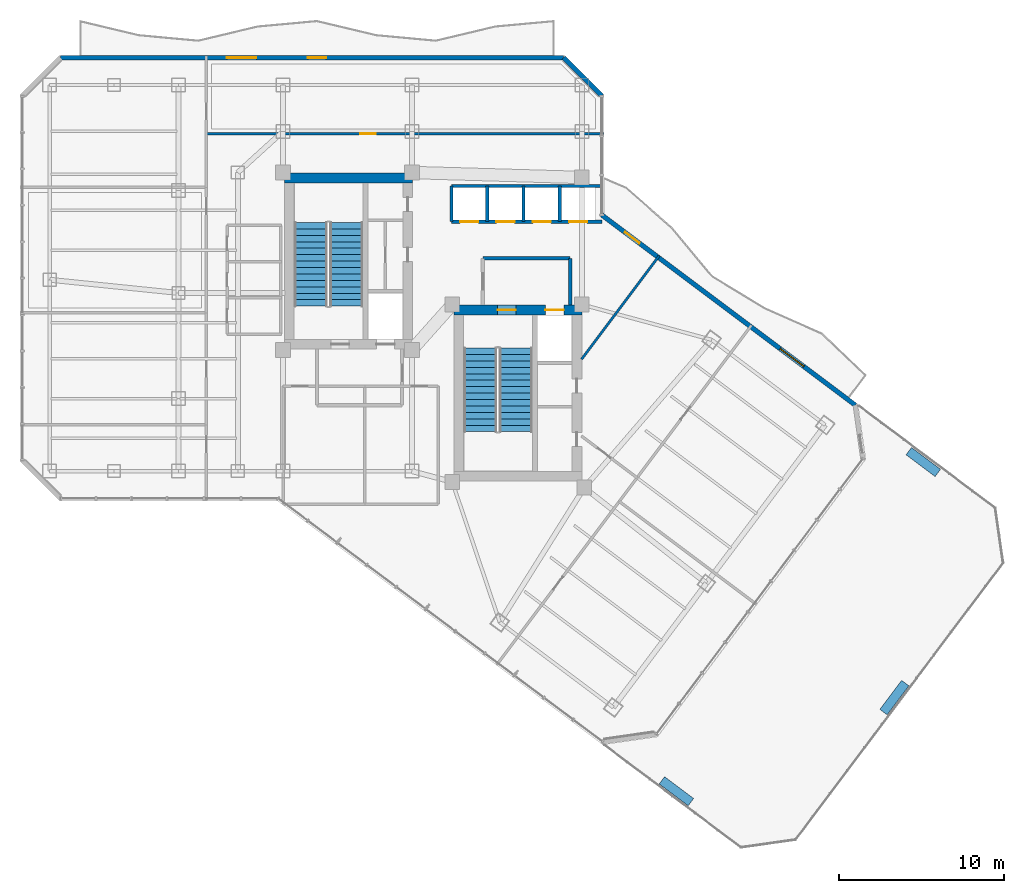
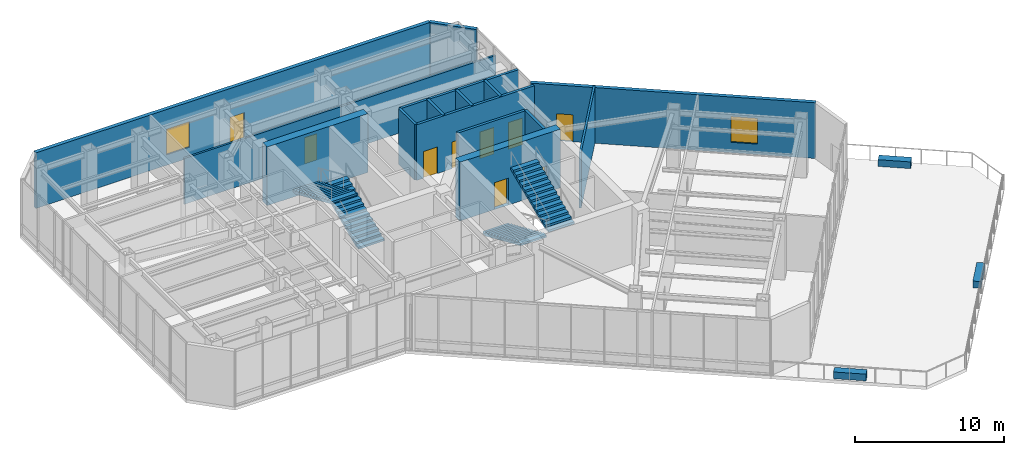
# One storey, part 24 of 30: 15 walls, 9 doors, 4 stair flights, 3 discrete accessories, 2 windows, 11 openings, 2 elements without a shape of their own.
"""IFC4 building model written with IfcOpenShell, lengths in metres."""

from ifc_helpers import new_model, si_unit, direction, frame, frame_2d, origin, origin_2d, place, context, subcontext, project, spatial, polyline, rectangle, outline, extrude, material, layer, layer_set, type_object, element, fill, aggregate, save


model = new_model("IFC4")

# Units and contexts
model_context = context("Model", 3, precision=1e-05, world=origin(), true_north=direction((0.0, 1.0)))
body_context = subcontext(model_context, "Body", "Model", "MODEL_VIEW")
ifc_project = project(units=[si_unit("LENGTHUNIT", "METRE"), si_unit("AREAUNIT", "SQUARE_METRE"), si_unit("VOLUMEUNIT", "CUBIC_METRE"), si_unit("PLANEANGLEUNIT", "RADIAN"), si_unit("MASSUNIT", "GRAM", prefix="KILO")], contexts=[model_context])

# Site, building, storey
site_placement = place(None, origin())
site = spatial("IfcSite", under=ifc_project, at=site_placement, CompositionType="ELEMENT")
building_placement = place(site_placement, origin())
building = spatial("IfcBuilding", under=site, at=building_placement, Name="Hatsunagi Terrace Concourse", CompositionType="ELEMENT")
storey_placement = place(building_placement, frame((0.0, 0.0, 130.050048828125)))
storey = spatial("IfcBuildingStorey", under=building, at=storey_placement, Name="L34", CompositionType="ELEMENT", Elevation=130.050048828125)

# Wall
ifc_material_1 = material(Name="Concrete Fc48", Category="concrete")
ifc_layer_1 = layer(ifc_material_1, 0.60009765625)
ifc_layer_set_1 = layer_set([ifc_layer_1], Name="CoreShearWall_Fc48_600")
wall_type_1 = type_object("IfcWallType", Name="CoreShearWall_Fc48_600", PredefinedType="SHEAR", material=ifc_layer_set_1)
wall_1_placement = place(storey_placement, frame((25.6201171875, 42.969970703125, 0.0), z_axis=(0.0, 0.0, 1.0), x_axis=(1.0, 0.0, 0.0)))
element("IfcWall", 1, at=wall_1_placement, inside=storey, type_object=wall_type_1, Name="Core A Shear Wall N L34", PredefinedType="SHEAR", context=body_context, shape_type="SweptSolid", body=[
    extrude(rectangle(XDim=7.77978515625, YDim=0.60009765625, at=frame_2d((3.889892578125, 0.0))), origin(), (0.0, 0.0, 1.0), 4.800048828125),
])

# Wall, openings, doors
wall_2_placement = place(storey_placement, frame((35.889892578125, 34.969970703125, 0.0), z_axis=(0.0, 0.0, 1.0), x_axis=(1.0, 0.0, 0.0)))
wall_2 = element("IfcWall", 2, at=wall_2_placement, inside=storey, type_object=wall_type_1, Name="Core B Shear Wall N L34", PredefinedType="SHEAR", context=body_context, shape_type="SweptSolid", body=[
    extrude(rectangle(XDim=7.760009765625, YDim=0.60009765625, at=frame_2d((3.8798828125, 0.0))), origin(), (0.0, 0.0, 1.0), 4.800048828125),
])
opening_1_placement = place(wall_2_placement, frame((2.659912109375, 0.0, 0.0)))
opening_1 = element("IfcOpeningElement", 3, at=opening_1_placement, cuts=wall_2, Name="Opening DR-110S", PredefinedType="OPENING", context=body_context, shape_type="SweptSolid", body=[
    extrude(rectangle(XDim=1.10009765625, YDim=2.199951171875, at=frame_2d((0.550048828125, 1.10009765625))), frame((0.0, 0.31005859375, 0.0), z_axis=(0.0, -1.0, 0.0), x_axis=(1.0, 0.0, 0.0)), (0.0, 0.0, 1.0), 0.6201171875),
])
opening_2_placement = place(wall_2_placement, frame((5.56005859375, 0.0, 0.0)))
opening_2 = element("IfcOpeningElement", 4, at=opening_2_placement, cuts=wall_2, Name="Opening LD-02", PredefinedType="OPENING", context=body_context, shape_type="SweptSolid", body=[
    extrude(rectangle(XDim=1.1201171875, YDim=2.14990234375, at=frame_2d((0.56005859375, 1.074951171875))), frame((0.0, 0.31005859375, 0.0), z_axis=(0.0, -1.0, 0.0), x_axis=(1.0, 0.0, 0.0)), (0.0, 0.0, 1.0), 0.6201171875),
])
ifc_material_2 = material(Name="Stainless steel", Category="steel")
door_type_1 = type_object("IfcDoorType", Name="LiftLandingDoor_LD02", OperationType="SLIDING_TO_RIGHT", PredefinedType="USERDEFINED", material=ifc_material_2)
door_1_placement = place(opening_2_placement, origin())
door_1 = element("IfcDoor", 5, at=door_1_placement, inside=storey, type_object=door_type_1, Name="Lift landing door FF-02 L34", ObjectType="SLIDING_LANDING_DOOR", OperationType="SLIDING_TO_RIGHT", OverallHeight=2.14990234375, OverallWidth=1.1201171875, PredefinedType="USERDEFINED", context=body_context, shape_type="SweptSolid", body=[
    extrude(rectangle(XDim=1.1201171875, YDim=2.14990234375, at=frame_2d((0.56005859375, 1.074951171875))), frame((0.0, 0.02490234375, 0.0), z_axis=(0.0, -1.0, 0.0), x_axis=(1.0, 0.0, 0.0)), (0.0, 0.0, 1.0), 0.050048828125),
])
fill(opening_2, door_1)
ifc_material_3 = material(Name="Painted steel", Category="steel")
door_type_2 = type_object("IfcDoorType", Name="StairFireDoor_EI60_1100", OperationType="NOTDEFINED", PredefinedType="DOOR", material=ifc_material_3)
door_2_placement = place(opening_1_placement, origin())
door_2 = element("IfcDoor", 6, at=door_2_placement, inside=storey, type_object=door_type_2, Name="Stair ST-B Exit Door L34", OperationType="SINGLE_SWING_RIGHT", OverallHeight=2.199951171875, OverallWidth=1.10009765625, PredefinedType="DOOR", context=body_context, shape_type="SweptSolid", body=[
    extrude(rectangle(XDim=1.10009765625, YDim=2.199951171875, at=frame_2d((0.550048828125, 1.10009765625))), frame((0.0, 0.02490234375, 0.0), z_axis=(0.0, -1.0, 0.0), x_axis=(1.0, 0.0, 0.0)), (0.0, 0.0, 1.0), 0.050048828125),
])
fill(opening_1, door_2)

# Wall, opening, door
ifc_material_4 = material(Name="Acoustic mineral board", Category="gypsum")
ifc_layer_2 = layer(ifc_material_4, 0.14990234375)
ifc_layer_set_2 = layer_set([ifc_layer_2], Name="PartitionWall_EI60_150")
wall_type_2 = type_object("IfcWallType", Name="PartitionWall_EI60_150", PredefinedType="PARTITIONING", material=ifc_layer_set_2)
wall_3_placement = place(storey_placement, frame((20.89990234375, 45.64990234375, 0.0), z_axis=(0.0, 0.0, 1.0), x_axis=(1.0, 0.0, 0.0)))
wall_3 = element("IfcWall", 7, at=wall_3_placement, inside=storey, type_object=wall_type_2, Name="Interior Partition IW-L34-040", PredefinedType="PARTITIONING", context=body_context, shape_type="SweptSolid", body=[
    extrude(rectangle(XDim=24.06005859375, YDim=0.14990234375, at=frame_2d((12.030029296875, 0.0))), origin(), (0.0, 0.0, 1.0), 3.744873046875),
])
opening_3_placement = place(wall_3_placement, frame((9.320068359375, 0.0, 0.0)))
opening_3 = element("IfcOpeningElement", 8, at=opening_3_placement, cuts=wall_3, Name="Opening DR-095", PredefinedType="OPENING", context=body_context, shape_type="SweptSolid", body=[
    extrude(rectangle(XDim=0.949951171875, YDim=2.14990234375, at=frame_2d((0.47509765625, 1.074951171875))), frame((0.0, 0.0849609375, 0.0), z_axis=(0.0, -1.0, 0.0), x_axis=(1.0, 0.0, 0.0)), (0.0, 0.0, 1.0), 0.169921875),
])
ifc_material_5 = material(Name="Hardwood timber", Category="wood")
door_type_3 = type_object("IfcDoorType", Name="InteriorSuiteDoor_EI30_950", OperationType="NOTDEFINED", PredefinedType="DOOR", material=ifc_material_5)
door_3_placement = place(opening_3_placement, origin())
door_3 = element("IfcDoor", 9, at=door_3_placement, inside=storey, type_object=door_type_3, Name="Boardroom L34-ON1 Door", OperationType="SINGLE_SWING_RIGHT", OverallHeight=2.14990234375, OverallWidth=0.949951171875, PredefinedType="DOOR", context=body_context, shape_type="SweptSolid", body=[
    extrude(rectangle(XDim=0.949951171875, YDim=2.14990234375, at=frame_2d((0.47509765625, 1.074951171875))), frame((0.0, 0.02490234375, 0.0), z_axis=(0.0, -1.0, 0.0), x_axis=(1.0, 0.0, 0.0)), (0.0, 0.0, 1.0), 0.050048828125),
])
fill(opening_3, door_3)

# Walls
wall_4_placement = place(storey_placement, frame((43.6298828125, 31.972900390625, 0.0), z_axis=(0.0, 0.0, 1.0), x_axis=(0.599975099311, 0.800018674911, 0.0)))
element("IfcWall", 10, at=wall_4_placement, inside=storey, type_object=wall_type_2, Name="Interior Partition IW-L34-045", PredefinedType="PARTITIONING", context=body_context, shape_type="SweptSolid", body=[
    extrude(rectangle(XDim=7.84375, YDim=0.14990234375, at=frame_2d((3.921875, 0.0))), origin(), (0.0, 0.0, 1.0), 4.550048828125),
])
ifc_material_6 = material(Name="Acoustic mineral board", Category="gypsum")
ifc_layer_3 = layer(ifc_material_6, 0.199951171875)
ifc_layer_set_3 = layer_set([ifc_layer_3], Name="ShaftWall_EI120_200")
wall_type_3 = type_object("IfcWallType", Name="ShaftWall_EI120_200", PredefinedType="STANDARD", material=ifc_layer_set_3)
wall_5_placement = place(storey_placement, frame((37.64990234375, 38.10009765625, 0.0), z_axis=(0.0, 0.0, 1.0), x_axis=(1.0, 0.0, 0.0)))
element("IfcWall", 11, at=wall_5_placement, inside=storey, type_object=wall_type_3, Name="Interior Partition IW-L34-009", PredefinedType="STANDARD", context=body_context, shape_type="SweptSolid", body=[
    extrude(rectangle(XDim=5.300048828125, YDim=0.199951171875, at=frame_2d((2.64990234375, 0.0))), origin(), (0.0, 0.0, 1.0), 4.550048828125),
])
wall_6_placement = place(storey_placement, frame((42.949951171875, 35.27001953125, 0.0), z_axis=(0.0, 0.0, 1.0), x_axis=(0.0, 1.0, 0.0)))
element("IfcWall", 12, at=wall_6_placement, inside=storey, type_object=wall_type_3, Name="Interior Partition IW-L34-010", PredefinedType="STANDARD", context=body_context, shape_type="SweptSolid", body=[
    extrude(rectangle(XDim=2.830078125, YDim=0.199951171875, at=frame_2d((1.4150390625, 0.0))), origin(), (0.0, 0.0, 1.0), 4.550048828125),
])
wall_7_placement = place(storey_placement, frame((35.75, 42.47998046875, 0.0), z_axis=(0.0, 0.0, 1.0), x_axis=(1.0, 0.0, 0.0)))
element("IfcWall", 13, at=wall_7_placement, inside=storey, type_object=wall_type_3, Name="Interior Partition IW-L34-012", PredefinedType="STANDARD", context=body_context, shape_type="SweptSolid", body=[
    extrude(rectangle(XDim=9.110107421875, YDim=0.199951171875, at=frame_2d((4.55517578125, 0.0))), origin(), (0.0, 0.0, 1.0), 4.550048828125),
])
for number, where, z_axis, x_axis, name in (
    (14, (35.75, 40.320068359375, 0.0), (0.0, 0.0, 1.0), (0.0, 1.0, 0.0), "Interior Partition IW-L34-013"),
    (15, (37.919921875, 40.320068359375, 0.0), (0.0, 0.0, 1.0), (0.0, 1.0, 0.0), "Interior Partition IW-L34-014"),
    (16, (40.1201171875, 40.320068359375, 0.0), (0.0, 0.0, 1.0), (0.0, 1.0, 0.0), "Interior Partition IW-L34-015"),
    (17, (42.320068359375, 40.320068359375, 0.0), (0.0, 0.0, 1.0), (0.0, 1.0, 0.0), "Interior Partition IW-L34-016"),
):
    element("IfcWall", number, at=place(storey_placement, frame(where, z_axis=z_axis, x_axis=x_axis)), inside=storey, type_object=wall_type_3, Name=name, PredefinedType="STANDARD", context=body_context, shape_type="SweptSolid", body=[
        extrude(rectangle(XDim=2.159912109375, YDim=0.199951171875, at=frame_2d((1.080078125, 0.0))), origin(), (0.0, 0.0, 1.0), 4.550048828125),
    ])

# Wall, openings, doors
wall_8_placement = place(storey_placement, frame((35.75, 40.320068359375, 0.0), z_axis=(0.0, 0.0, 1.0), x_axis=(1.0, 0.0, 0.0)))
wall_8 = element("IfcWall", 18, at=wall_8_placement, inside=storey, type_object=wall_type_3, Name="Interior Partition IW-L34-017", PredefinedType="STANDARD", context=body_context, shape_type="SweptSolid", body=[
    extrude(rectangle(XDim=9.110107421875, YDim=0.199951171875, at=frame_2d((4.55517578125, 0.0))), origin(), (0.0, 0.0, 1.0), 4.550048828125),
])
opening_4_placement = place(wall_8_placement, frame((0.530029296875, 0.0, 0.0)))
opening_4 = element("IfcOpeningElement", 19, at=opening_4_placement, cuts=wall_8, Name="Opening LD-04", PredefinedType="OPENING", context=body_context, shape_type="SweptSolid", body=[
    extrude(rectangle(XDim=1.10009765625, YDim=2.179931640625, at=frame_2d((0.550048828125, 1.08984375))), frame((0.0, 0.10986328125, 0.0), z_axis=(0.0, -1.0, 0.0), x_axis=(1.0, 0.0, 0.0)), (0.0, 0.0, 1.0), 0.219970703125),
])
opening_5_placement = place(wall_8_placement, frame((2.72998046875, 0.0, 0.0)))
opening_5 = element("IfcOpeningElement", 20, at=opening_5_placement, cuts=wall_8, Name="Opening LD-04", PredefinedType="OPENING", context=body_context, shape_type="SweptSolid", body=[
    extrude(rectangle(XDim=1.10009765625, YDim=2.179931640625, at=frame_2d((0.550048828125, 1.08984375))), frame((0.0, 0.10986328125, 0.0), z_axis=(0.0, -1.0, 0.0), x_axis=(1.0, 0.0, 0.0)), (0.0, 0.0, 1.0), 0.219970703125),
])
opening_6_placement = place(wall_8_placement, frame((4.929931640625, 0.0, 0.0)))
opening_6 = element("IfcOpeningElement", 21, at=opening_6_placement, cuts=wall_8, Name="Opening LD-04", PredefinedType="OPENING", context=body_context, shape_type="SweptSolid", body=[
    extrude(rectangle(XDim=1.10009765625, YDim=2.179931640625, at=frame_2d((0.550048828125, 1.08984375))), frame((0.0, 0.10986328125, 0.0), z_axis=(0.0, -1.0, 0.0), x_axis=(1.0, 0.0, 0.0)), (0.0, 0.0, 1.0), 0.219970703125),
])
opening_7_placement = place(wall_8_placement, frame((7.1298828125, 0.0, 0.0)))
opening_7 = element("IfcOpeningElement", 22, at=opening_7_placement, cuts=wall_8, Name="Opening LD-04", PredefinedType="OPENING", context=body_context, shape_type="SweptSolid", body=[
    extrude(rectangle(XDim=1.10009765625, YDim=2.179931640625, at=frame_2d((0.550048828125, 1.08984375))), frame((0.0, 0.10986328125, 0.0), z_axis=(0.0, -1.0, 0.0), x_axis=(1.0, 0.0, 0.0)), (0.0, 0.0, 1.0), 0.219970703125),
])
ifc_material_7 = material(Name="Stainless steel", Category="steel")
door_type_4 = type_object("IfcDoorType", Name="LiftLandingDoor_LD04", OperationType="SLIDING_TO_RIGHT", PredefinedType="USERDEFINED", material=ifc_material_7)
door_4_placement = place(opening_4_placement, origin())
door_4 = element("IfcDoor", 23, at=door_4_placement, inside=storey, type_object=door_type_4, Name="Lift landing door PL-05 L34", ObjectType="SLIDING_LANDING_DOOR", OperationType="SLIDING_TO_RIGHT", OverallHeight=2.179931640625, OverallWidth=1.10009765625, PredefinedType="USERDEFINED", context=body_context, shape_type="SweptSolid", body=[
    extrude(rectangle(XDim=1.10009765625, YDim=2.179931640625, at=frame_2d((0.550048828125, 1.08984375))), frame((0.0, 0.02490234375, 0.0), z_axis=(0.0, -1.0, 0.0), x_axis=(1.0, 0.0, 0.0)), (0.0, 0.0, 1.0), 0.050048828125),
])
fill(opening_4, door_4)
door_5_placement = place(opening_5_placement, origin())
door_5 = element("IfcDoor", 24, at=door_5_placement, inside=storey, type_object=door_type_4, Name="Lift landing door PL-06 L34", ObjectType="SLIDING_LANDING_DOOR", OperationType="SLIDING_TO_RIGHT", OverallHeight=2.179931640625, OverallWidth=1.10009765625, PredefinedType="USERDEFINED", context=body_context, shape_type="SweptSolid", body=[
    extrude(rectangle(XDim=1.10009765625, YDim=2.179931640625, at=frame_2d((0.550048828125, 1.08984375))), frame((0.0, 0.02490234375, 0.0), z_axis=(0.0, -1.0, 0.0), x_axis=(1.0, 0.0, 0.0)), (0.0, 0.0, 1.0), 0.050048828125),
])
fill(opening_5, door_5)
door_6_placement = place(opening_6_placement, origin())
door_6 = element("IfcDoor", 25, at=door_6_placement, inside=storey, type_object=door_type_4, Name="Lift landing door PL-07 L34", ObjectType="SLIDING_LANDING_DOOR", OperationType="SLIDING_TO_RIGHT", OverallHeight=2.179931640625, OverallWidth=1.10009765625, PredefinedType="USERDEFINED", context=body_context, shape_type="SweptSolid", body=[
    extrude(rectangle(XDim=1.10009765625, YDim=2.179931640625, at=frame_2d((0.550048828125, 1.08984375))), frame((0.0, 0.02490234375, 0.0), z_axis=(0.0, -1.0, 0.0), x_axis=(1.0, 0.0, 0.0)), (0.0, 0.0, 1.0), 0.050048828125),
])
fill(opening_6, door_6)
door_7_placement = place(opening_7_placement, origin())
door_7 = element("IfcDoor", 26, at=door_7_placement, inside=storey, type_object=door_type_4, Name="Lift landing door PL-08 L34", ObjectType="SLIDING_LANDING_DOOR", OperationType="SLIDING_TO_RIGHT", OverallHeight=2.179931640625, OverallWidth=1.10009765625, PredefinedType="USERDEFINED", context=body_context, shape_type="SweptSolid", body=[
    extrude(rectangle(XDim=1.10009765625, YDim=2.179931640625, at=frame_2d((0.550048828125, 1.08984375))), frame((0.0, 0.02490234375, 0.0), z_axis=(0.0, -1.0, 0.0), x_axis=(1.0, 0.0, 0.0)), (0.0, 0.0, 1.0), 0.050048828125),
])
fill(opening_7, door_7)

# Wall, openings, door, window
ifc_material_8 = material(Name="Autoclaved Lightweight Concrete and Terracotta Cladding", Category="masonry")
ifc_layer_4 = layer(ifc_material_8, 0.280029296875)
ifc_layer_set_4 = layer_set([ifc_layer_4], Name="TerracottaSpandrelWall_280")
wall_type_4 = type_object("IfcWallType", Name="TerracottaSpandrelWall_280", PredefinedType="STANDARD", material=ifc_layer_set_4)
wall_9_placement = place(storey_placement, frame((44.860107421875, 40.72998046875, 0.0), z_axis=(0.0, 0.0, 1.0), x_axis=(0.800007624502, -0.599989833863, 0.0)))
wall_9 = element("IfcWall", 27, at=wall_9_placement, inside=storey, type_object=wall_type_4, Name="Exterior Spandrel Wall EW-L34-01", PredefinedType="STANDARD", context=body_context, shape_type="SweptSolid", body=[
    extrude(rectangle(XDim=19.212158203125, YDim=0.280029296875, at=frame_2d((9.60595703125, 0.0))), origin(), (0.0, 0.0, 1.0), 4.550048828125),
])
opening_8_placement = place(wall_9_placement, frame((1.7548828125, 0.0, 0.0)))
opening_8 = element("IfcOpeningElement", 28, at=opening_8_placement, cuts=wall_9, Name="Opening BD-01", PredefinedType="OPENING", context=body_context, shape_type="SweptSolid", body=[
    extrude(rectangle(XDim=1.10009765625, YDim=2.199951171875, at=frame_2d((0.550048828125, 1.10009765625))), frame((0.0, 0.14990234375, 0.0), z_axis=(0.0, -1.0, 0.0), x_axis=(1.0, 0.0, 0.0)), (0.0, 0.0, 1.0), 0.300048828125),
])
opening_9_placement = place(wall_9_placement, frame((13.509033203125, 0.0, 0.85009765625)))
opening_9 = element("IfcOpeningElement", 29, at=opening_9_placement, cuts=wall_9, Name="Opening WIN-03", PredefinedType="OPENING", context=body_context, shape_type="SweptSolid", body=[
    extrude(rectangle(XDim=1.800048828125, YDim=2.10009765625, at=frame_2d((0.89990234375, 1.050048828125))), frame((0.0, 0.14990234375, 0.0), z_axis=(0.0, -1.0, 0.0), x_axis=(1.0, 0.0, 0.0)), (0.0, 0.0, 1.0), 0.300048828125),
])
ifc_material_9 = material(Name="Galvanised Steel and Laminated Safety Glass", Category="steel")
door_type_5 = type_object("IfcDoorType", Name="BalconyTerraceAccessDoor_1100x2200", OperationType="SINGLE_SWING_LEFT", PredefinedType="DOOR", material=ifc_material_9)
door_8_placement = place(opening_8_placement, origin())
door_8 = element("IfcDoor", 30, at=door_8_placement, inside=storey, type_object=door_type_5, Name="Engawa Balcony Door L34-BSE", OperationType="SINGLE_SWING_LEFT", OverallHeight=2.199951171875, OverallWidth=1.10009765625, PredefinedType="DOOR", context=body_context, shape_type="SweptSolid", body=[
    extrude(rectangle(XDim=1.10009765625, YDim=2.199951171875, at=frame_2d((0.550048828125, 1.10009765625))), frame((0.0, 0.02490234375, 0.0), z_axis=(0.0, -1.0, 0.0), x_axis=(1.0, 0.0, 0.0)), (0.0, 0.0, 1.0), 0.050048828125),
])
fill(opening_8, door_8)
ifc_material_10 = material(Name="Thermally Broken Aluminium and Low-E Triple Glazing", Category="aluminium")
window_type = type_object("IfcWindowType", Name="OfficeCornerFeatureWindow_1800x2100", PartitioningType="SINGLE_PANEL", PredefinedType="WINDOW", material=ifc_material_10)
window_1_placement = place(opening_9_placement, origin())
window_1 = element("IfcWindow", 31, at=window_1_placement, inside=storey, type_object=window_type, Name="Balcony Daylighting Window L34-01-2", OverallHeight=2.10009765625, OverallWidth=1.800048828125, PartitioningType="SINGLE_PANEL", PredefinedType="WINDOW", context=body_context, shape_type="SweptSolid", body=[
    extrude(rectangle(XDim=1.800048828125, YDim=2.10009765625, at=frame_2d((0.89990234375, 1.050048828125))), frame((0.0, 0.030029296875, 0.0), z_axis=(0.0, -1.0, 0.0), x_axis=(1.0, 0.0, 0.0)), (0.0, 0.0, 1.0), 0.06005859375),
])
fill(opening_9, window_1)

wall_10_placement = place(storey_placement, frame((12.05810546875, 50.260009765625, 0.0), z_axis=(0.0, 0.0, 1.0), x_axis=(1.0, 0.0, 0.0)))
wall_10 = element("IfcWall", 32, at=wall_10_placement, inside=storey, type_object=wall_type_4, Name="Exterior Spandrel Wall EW-L34-11", PredefinedType="STANDARD", context=body_context, shape_type="SweptSolid", body=[
    extrude(rectangle(XDim=30.48388671875, YDim=0.280029296875, at=frame_2d((15.241943359375, 0.0))), origin(), (0.0, 0.0, 1.0), 4.550048828125),
])
opening_10_placement = place(wall_10_placement, frame((14.991943359375, 0.0, 0.0)))
opening_10 = element("IfcOpeningElement", 33, at=opening_10_placement, cuts=wall_10, Name="Opening BD-01", PredefinedType="OPENING", context=body_context, shape_type="SweptSolid", body=[
    extrude(rectangle(XDim=1.10009765625, YDim=2.199951171875, at=frame_2d((0.550048828125, 1.10009765625))), frame((0.0, 0.14990234375, 0.0), z_axis=(0.0, -1.0, 0.0), x_axis=(1.0, 0.0, 0.0)), (0.0, 0.0, 1.0), 0.300048828125),
])
opening_11_placement = place(wall_10_placement, frame((10.073974609375, 0.0, 0.85009765625)))
opening_11 = element("IfcOpeningElement", 34, at=opening_11_placement, cuts=wall_10, Name="Opening WIN-03", PredefinedType="OPENING", context=body_context, shape_type="SweptSolid", body=[
    extrude(rectangle(XDim=1.800048828125, YDim=2.10009765625, at=frame_2d((0.89990234375, 1.050048828125))), frame((0.0, 0.14990234375, 0.0), z_axis=(0.0, -1.0, 0.0), x_axis=(1.0, 0.0, 0.0)), (0.0, 0.0, 1.0), 0.300048828125),
])
door_9_placement = place(opening_10_placement, origin())
door_9 = element("IfcDoor", 35, at=door_9_placement, inside=storey, type_object=door_type_5, Name="Engawa Balcony Door L34-BN", OperationType="SINGLE_SWING_RIGHT", OverallHeight=2.199951171875, OverallWidth=1.10009765625, PredefinedType="DOOR", context=body_context, shape_type="SweptSolid", body=[
    extrude(rectangle(XDim=1.10009765625, YDim=2.199951171875, at=frame_2d((0.550048828125, 1.10009765625))), frame((0.0, 0.02490234375, 0.0), z_axis=(0.0, -1.0, 0.0), x_axis=(1.0, 0.0, 0.0)), (0.0, 0.0, 1.0), 0.050048828125),
])
fill(opening_10, door_9)
window_2_placement = place(opening_11_placement, origin())
window_2 = element("IfcWindow", 36, at=window_2_placement, inside=storey, type_object=window_type, Name="Balcony Daylighting Window L34-11-1", OverallHeight=2.10009765625, OverallWidth=1.800048828125, PartitioningType="SINGLE_PANEL", PredefinedType="WINDOW", context=body_context, shape_type="SweptSolid", body=[
    extrude(rectangle(XDim=1.800048828125, YDim=2.10009765625, at=frame_2d((0.89990234375, 1.050048828125))), frame((0.0, 0.030029296875, 0.0), z_axis=(0.0, -1.0, 0.0), x_axis=(1.0, 0.0, 0.0)), (0.0, 0.0, 1.0), 0.06005859375),
])
fill(opening_11, window_2)

# Wall
wall_11_placement = place(storey_placement, frame((42.5419921875, 50.260009765625, 0.0), z_axis=(0.0, 0.0, 1.0), x_axis=(0.707106781187, -0.707106781187, 0.0)))
element("IfcWall", 37, at=wall_11_placement, inside=storey, type_object=wall_type_4, Name="Exterior Spandrel Wall EW-L34-12", PredefinedType="STANDARD", context=body_context, shape_type="SweptSolid", body=[
    extrude(rectangle(XDim=3.2783203125, YDim=0.280029296875, at=frame_2d((1.63916015625, 0.0))), origin(), (0.0, 0.0, 1.0), 4.550048828125),
])

# Stair, stair flights
ifc_material_11 = material(Name="Concrete Fc42", Category="concrete")
stair_type = type_object("IfcStairType", Name="DoglegExitStair_Tower2000_28R_171", PredefinedType="HALF_TURN_STAIR", material=ifc_material_11)
stair_1_placement = place(storey_placement, origin())
stair_1 = element("IfcStair", 38, at=stair_1_placement, inside=storey, type_object=stair_type, Name="L34 Core A Protected Exit Stair ST-A", PredefinedType="HALF_TURN_STAIR")
ifc_material_12 = material(Name="Concrete Fc42", Category="concrete")
stair_flight_type = type_object("IfcStairFlightType", Name="DoglegStairFlight_Tower2000_28R_171", PredefinedType="STRAIGHT", material=ifc_material_12)
stair_flight_1_placement = place(storey_placement, frame((29.3798828125, 35.199951171875, 0.0), z_axis=(0.0, 0.0, 1.0), x_axis=(0.0, 1.0, 0.0)))
stair_flight_1 = element("IfcStairFlight", 39, at=stair_flight_1_placement, type_object=stair_flight_type, Name="ST-A flight 1", NumberOfRisers=14, NumberOfTreads=13, PredefinedType="STRAIGHT", RiserHeight=0.171428571, TreadLength=0.39, context=body_context, shape_type="SweptSolid", body=[
    extrude(outline(polyline([(0.0, 0.0), (0.0, 0.17138671875), (0.389892578125, 0.17138671875), (0.389892578125, 0.3427734375), (0.780029296875, 0.3427734375), (0.780029296875, 0.514404296875), (1.169921875, 0.514404296875), (1.169921875, 0.685791015625), (1.56005859375, 0.685791015625), (1.56005859375, 0.857177734375), (1.949951171875, 0.857177734375), (1.949951171875, 1.028564453125), (2.340087890625, 1.028564453125), (2.340087890625, 1.199951171875), (2.72998046875, 1.199951171875), (2.72998046875, 1.371337890625), (3.1201171875, 1.371337890625), (3.1201171875, 1.54296875), (3.510009765625, 1.54296875), (3.510009765625, 1.71435546875), (3.89990234375, 1.71435546875), (3.89990234375, 1.8857421875), (4.2900390625, 1.8857421875), (4.2900390625, 2.05712890625), (4.679931640625, 2.05712890625), (4.679931640625, 2.228515625), (5.070068359375, 2.228515625), (5.070068359375, 2.39990234375), (5.070068359375, 2.06494140625), (0.37255859375, 0.0), (0.0, 0.0)])), frame((0.0, 1.0, 0.0), z_axis=(0.0, -1.0, 0.0), x_axis=(1.0, 0.0, 0.0)), (0.0, 0.0, 1.0), 2.0),
])
stair_flight_2_placement = place(storey_placement, frame((27.22998046875, 40.27001953125, 2.39990234375), z_axis=(0.0, 0.0, 1.0), x_axis=(0.0, -1.0, 0.0)))
stair_flight_2 = element("IfcStairFlight", 40, at=stair_flight_2_placement, type_object=stair_flight_type, Name="ST-A flight 2", NumberOfRisers=14, NumberOfTreads=13, PredefinedType="STRAIGHT", RiserHeight=0.171428571, TreadLength=0.39, context=body_context, shape_type="SweptSolid", body=[
    extrude(outline(polyline([(0.0, 0.0), (0.0, 0.17138671875), (0.389892578125, 0.17138671875), (0.389892578125, 0.3427734375), (0.780029296875, 0.3427734375), (0.780029296875, 0.514404296875), (1.169921875, 0.514404296875), (1.169921875, 0.685791015625), (1.56005859375, 0.685791015625), (1.56005859375, 0.857177734375), (1.949951171875, 0.857177734375), (1.949951171875, 1.028564453125), (2.340087890625, 1.028564453125), (2.340087890625, 1.199951171875), (2.72998046875, 1.199951171875), (2.72998046875, 1.371337890625), (3.1201171875, 1.371337890625), (3.1201171875, 1.54296875), (3.510009765625, 1.54296875), (3.510009765625, 1.71435546875), (3.89990234375, 1.71435546875), (3.89990234375, 1.8857421875), (4.2900390625, 1.8857421875), (4.2900390625, 2.05712890625), (4.679931640625, 2.05712890625), (4.679931640625, 2.228515625), (5.070068359375, 2.228515625), (5.070068359375, 2.39990234375), (5.070068359375, 2.06494140625), (0.37255859375, 0.0), (0.0, 0.0)])), frame((0.0, 1.0, 0.0), z_axis=(0.0, -1.0, 0.0), x_axis=(1.0, 0.0, 0.0)), (0.0, 0.0, 1.0), 2.0),
])
aggregate(stair_1, [stair_flight_1, stair_flight_2])

stair_2_placement = place(storey_placement, origin())
stair_2 = element("IfcStair", 41, at=stair_2_placement, inside=storey, type_object=stair_type, Name="L34 Core B Protected Exit Stair ST-B", PredefinedType="HALF_TURN_STAIR")
stair_flight_3_placement = place(storey_placement, frame((37.5, 32.659912109375, 0.0), z_axis=(0.0, 0.0, 1.0), x_axis=(0.0, -1.0, 0.0)))
stair_flight_3 = element("IfcStairFlight", 42, at=stair_flight_3_placement, type_object=stair_flight_type, Name="ST-B flight 1", NumberOfRisers=14, NumberOfTreads=13, PredefinedType="STRAIGHT", RiserHeight=0.171428571, TreadLength=0.39, context=body_context, shape_type="SweptSolid", body=[
    extrude(outline(polyline([(0.0, 0.0), (0.0, 0.17138671875), (0.389892578125, 0.17138671875), (0.389892578125, 0.3427734375), (0.780029296875, 0.3427734375), (0.780029296875, 0.514404296875), (1.169921875, 0.514404296875), (1.169921875, 0.685791015625), (1.56005859375, 0.685791015625), (1.56005859375, 0.857177734375), (1.949951171875, 0.857177734375), (1.949951171875, 1.028564453125), (2.340087890625, 1.028564453125), (2.340087890625, 1.199951171875), (2.72998046875, 1.199951171875), (2.72998046875, 1.371337890625), (3.1201171875, 1.371337890625), (3.1201171875, 1.54296875), (3.510009765625, 1.54296875), (3.510009765625, 1.71435546875), (3.89990234375, 1.71435546875), (3.89990234375, 1.8857421875), (4.2900390625, 1.8857421875), (4.2900390625, 2.05712890625), (4.679931640625, 2.05712890625), (4.679931640625, 2.228515625), (5.070068359375, 2.228515625), (5.070068359375, 2.39990234375), (5.070068359375, 2.06494140625), (0.37255859375, 0.0), (0.0, 0.0)])), frame((0.0, 1.0, 0.0), z_axis=(0.0, -1.0, 0.0), x_axis=(1.0, 0.0, 0.0)), (0.0, 0.0, 1.0), 2.0),
])
stair_flight_4_placement = place(storey_placement, frame((39.64990234375, 27.590087890625, 2.39990234375), z_axis=(0.0, 0.0, 1.0), x_axis=(0.0, 1.0, 0.0)))
stair_flight_4 = element("IfcStairFlight", 43, at=stair_flight_4_placement, type_object=stair_flight_type, Name="ST-B flight 2", NumberOfRisers=14, NumberOfTreads=13, PredefinedType="STRAIGHT", RiserHeight=0.171428571, TreadLength=0.39, context=body_context, shape_type="SweptSolid", body=[
    extrude(outline(polyline([(0.0, 0.0), (0.0, 0.17138671875), (0.389892578125, 0.17138671875), (0.389892578125, 0.3427734375), (0.780029296875, 0.3427734375), (0.780029296875, 0.514404296875), (1.169921875, 0.514404296875), (1.169921875, 0.685791015625), (1.56005859375, 0.685791015625), (1.56005859375, 0.857177734375), (1.949951171875, 0.857177734375), (1.949951171875, 1.028564453125), (2.340087890625, 1.028564453125), (2.340087890625, 1.199951171875), (2.72998046875, 1.199951171875), (2.72998046875, 1.371337890625), (3.1201171875, 1.371337890625), (3.1201171875, 1.54296875), (3.510009765625, 1.54296875), (3.510009765625, 1.71435546875), (3.89990234375, 1.71435546875), (3.89990234375, 1.8857421875), (4.2900390625, 1.8857421875), (4.2900390625, 2.05712890625), (4.679931640625, 2.05712890625), (4.679931640625, 2.228515625), (5.070068359375, 2.228515625), (5.070068359375, 2.39990234375), (5.070068359375, 2.06494140625), (0.37255859375, 0.0), (0.0, 0.0)])), frame((0.0, 1.0, 0.0), z_axis=(0.0, -1.0, 0.0), x_axis=(1.0, 0.0, 0.0)), (0.0, 0.0, 1.0), 2.0),
])
aggregate(stair_2, [stair_flight_3, stair_flight_4])

# Discrete accessories
ifc_material_13 = material(Name="Architectural Precast Terracotta Planter", Category="masonry")
discrete_accessory_type = type_object("IfcDiscreteAccessoryType", Name="SkyGardenPlanterEdge_450", PredefinedType="USERDEFINED", material=ifc_material_13)
for number, where, z_axis, x_axis, name in (
    (44, (62.595947265625, 11.47802734375, 0.009765625), (0.0, 0.0, 1.0), (-0.600001429133, -0.799998928149, 0.0), "Sky Garden Terrace Planter TER-L34-1-2"),
    (45, (49.385009765625, 5.799072265625, 0.009765625), (0.0, 0.0, 1.0), (-0.79997798366, 0.600029353998, 0.0), "Sky Garden Terrace Planter TER-L34-1-4"),
    (46, (64.34912109375, 25.7509765625, 0.009765625), (0.0, 0.0, 1.0), (0.79997798366, -0.600029353998, 0.0), "Sky Garden Terrace Planter TER-L34-1-8"),
):
    element("IfcDiscreteAccessory", number, at=place(storey_placement, frame(where, z_axis=z_axis, x_axis=x_axis)), inside=storey, type_object=discrete_accessory_type, Name=name, ObjectType="PLANTER", PredefinedType="USERDEFINED", context=body_context, shape_type="SweptSolid", body=[
        extrude(rectangle(XDim=2.199951171875, YDim=0.550048828125, at=origin_2d()), origin(), (0.0, 0.0, 1.0), 0.550048828125),
    ])

save(model, "model.ifc")
